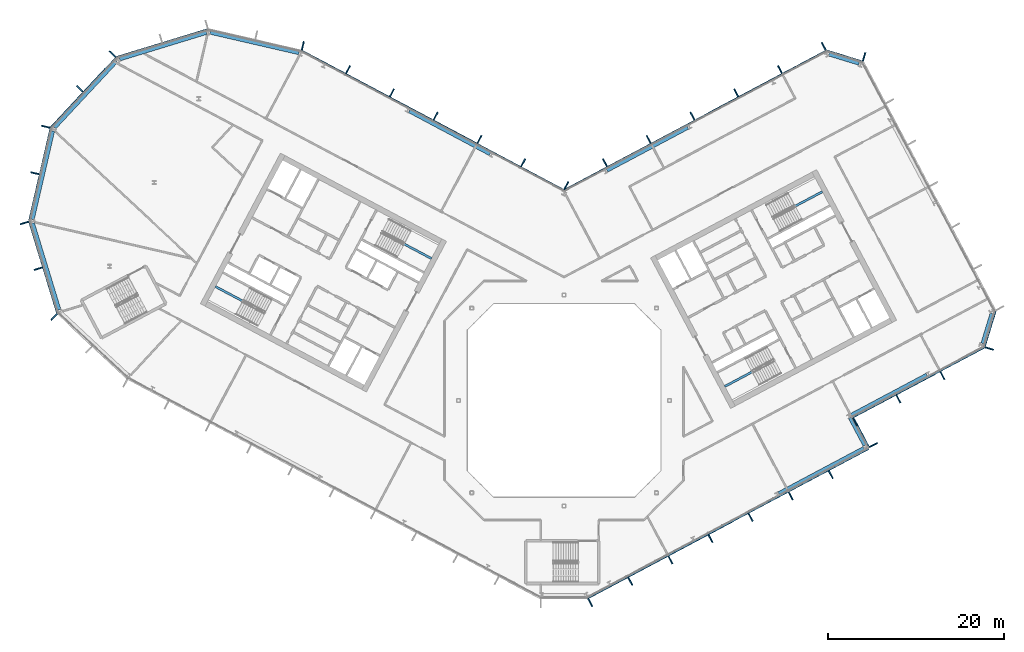
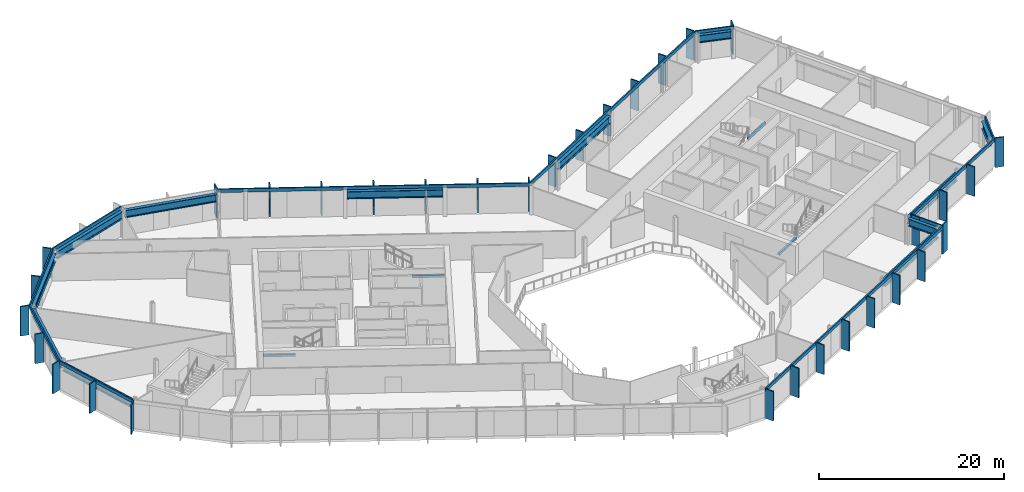
# One storey, part 9 of 26: 44 members, 16 beams, 13 elements without a shape of their own.
"""IFC4 building model written with IfcOpenShell, lengths in metres."""

from ifc_helpers import new_model, si_unit, direction, frame, origin, origin_2d, place, context, subcontext, project, spatial, rectangle, i_section, extrude, material, layer, layer_set, material_profile, profile_set, type_object, element, aggregate, save


model = new_model("IFC4")

# Units and contexts
model_context = context("Model", 3, precision=1e-05, world=origin(), true_north=direction((0.0, 1.0)))
body_context = subcontext(model_context, "Body", "Model", "MODEL_VIEW")
ifc_project = project(units=[si_unit("LENGTHUNIT", "METRE"), si_unit("AREAUNIT", "SQUARE_METRE"), si_unit("VOLUMEUNIT", "CUBIC_METRE"), si_unit("PLANEANGLEUNIT", "RADIAN"), si_unit("MASSUNIT", "GRAM", prefix="KILO")], contexts=[model_context])

# Site, building, storey
site_placement = place(None, origin())
site = spatial("IfcSite", under=ifc_project, at=site_placement, CompositionType="ELEMENT")
building_placement = place(site_placement, origin())
building = spatial("IfcBuilding", under=site, at=building_placement, Name="Cormorant Relay Tower", CompositionType="ELEMENT")
storey_placement = place(building_placement, frame((0.0, 0.0, 236.39990234375)))
storey = spatial("IfcBuildingStorey", under=building, at=storey_placement, Name="L52", CompositionType="ELEMENT", Elevation=236.39990234375)

# Curtain wall, members
ifc_material_1 = material(Name="Aluminium 6063-T6 anodised bronze", Category="aluminium")
ifc_layer = layer(ifc_material_1, 0.199951171875)
ifc_layer_set = layer_set([ifc_layer], Name="CW1 unitised bronze curtain wall with vertical fins")
curtain_wall_type = type_object("IfcCurtainWallType", Name="CW1 unitised bronze curtain wall with vertical fins", PredefinedType="NOTDEFINED", material=ifc_layer_set)
curtain_wall_1_placement = place(storey_placement, origin())
curtain_wall_1 = element("IfcCurtainWall", 1, at=curtain_wall_1_placement, inside=storey, type_object=curtain_wall_type, Name="CW1 curtain wall 2", PredefinedType="NOTDEFINED")
ifc_material_2 = material(Name="Aluminium 6063-T6 anodised bronze", Category="aluminium")
ifc_material_profile_1 = material_profile(ifc_material_2, rectangle(XDim=0.14990234375, YDim=1.0, at=origin_2d()), Name="AL 150x1000")
ifc_profile_set_1 = profile_set([ifc_material_profile_1], Name="Aluminium 6063-T6 anodised bronze")
member_type_1 = type_object("IfcMemberType", Name="CW1 bronze fin mullion 150 x 1000", PredefinedType="MULLION", material=ifc_profile_set_1)
member_1_placement = place(storey_placement, frame((2.9775390625, -22.99365234375, 0.0), z_axis=(0.0, 0.0, 1.0), x_axis=(0.882947592859, 0.469471562786, 0.0)))
member_1 = element("IfcMember", 2, at=member_1_placement, type_object=member_type_1, Name="CW1 fin 2.1", PredefinedType="MULLION", context=body_context, shape_type="SweptSolid", body=[
    extrude(rectangle(XDim=0.14990234375, YDim=1.0, at=origin_2d()), origin(), (0.0, 0.0, 1.0), 3.900146484375),
])
member_2_placement = place(storey_placement, frame((7.539306640625, -20.568115234375, 0.0), z_axis=(0.0, 0.0, 1.0), x_axis=(0.882947592859, 0.469471562786, 0.0)))
member_2 = element("IfcMember", 3, at=member_2_placement, type_object=member_type_1, Name="CW1 fin 2.2", PredefinedType="MULLION", context=body_context, shape_type="SweptSolid", body=[
    extrude(rectangle(XDim=0.14990234375, YDim=1.0, at=origin_2d()), origin(), (0.0, 0.0, 1.0), 3.900146484375),
])
member_3_placement = place(storey_placement, frame((12.10107421875, -18.142578125, 0.0), z_axis=(0.0, 0.0, 1.0), x_axis=(0.882947592859, 0.469471562786, 0.0)))
member_3 = element("IfcMember", 4, at=member_3_placement, type_object=member_type_1, Name="CW1 fin 2.3", PredefinedType="MULLION", context=body_context, shape_type="SweptSolid", body=[
    extrude(rectangle(XDim=0.14990234375, YDim=1.0, at=origin_2d()), origin(), (0.0, 0.0, 1.0), 3.900146484375),
])
member_4_placement = place(storey_placement, frame((16.662841796875, -15.717041015625, 0.0), z_axis=(0.0, 0.0, 1.0), x_axis=(0.882947592859, 0.469471562786, 0.0)))
member_4 = element("IfcMember", 5, at=member_4_placement, type_object=member_type_1, Name="CW1 fin 2.4", PredefinedType="MULLION", context=body_context, shape_type="SweptSolid", body=[
    extrude(rectangle(XDim=0.14990234375, YDim=1.0, at=origin_2d()), origin(), (0.0, 0.0, 1.0), 3.900146484375),
])
member_5_placement = place(storey_placement, frame((21.224609375, -13.29150390625, 0.0), z_axis=(0.0, 0.0, 1.0), x_axis=(0.882947592859, 0.469471562786, 0.0)))
member_5 = element("IfcMember", 6, at=member_5_placement, type_object=member_type_1, Name="CW1 fin 2.5", PredefinedType="MULLION", context=body_context, shape_type="SweptSolid", body=[
    extrude(rectangle(XDim=0.14990234375, YDim=1.0, at=origin_2d()), origin(), (0.0, 0.0, 1.0), 3.900146484375),
])
member_6_placement = place(storey_placement, frame((25.78662109375, -10.865966796875, 0.0), z_axis=(0.0, 0.0, 1.0), x_axis=(0.882947592859, 0.469471562786, 0.0)))
member_6 = element("IfcMember", 7, at=member_6_placement, type_object=member_type_1, Name="CW1 fin 2.6", PredefinedType="MULLION", context=body_context, shape_type="SweptSolid", body=[
    extrude(rectangle(XDim=0.14990234375, YDim=1.0, at=origin_2d()), origin(), (0.0, 0.0, 1.0), 3.900146484375),
])
member_7_placement = place(storey_placement, frame((30.348388671875, -8.440185546875, 0.0), z_axis=(0.0, 0.0, 1.0), x_axis=(0.882947592859, 0.469471562786, 0.0)))
member_7 = element("IfcMember", 8, at=member_7_placement, type_object=member_type_1, Name="CW1 fin 2.7", PredefinedType="MULLION", context=body_context, shape_type="SweptSolid", body=[
    extrude(rectangle(XDim=0.14990234375, YDim=1.0, at=origin_2d()), origin(), (0.0, 0.0, 1.0), 3.900146484375),
])

# Curtain wall, member
curtain_wall_2_placement = place(storey_placement, origin())
curtain_wall_2 = element("IfcCurtainWall", 9, at=curtain_wall_2_placement, inside=storey, type_object=curtain_wall_type, Name="CW1 curtain wall 3", PredefinedType="NOTDEFINED")
member_8_placement = place(storey_placement, frame((35.199462890625, -5.068115234375, 0.0), z_axis=(0.0, 0.0, 1.0), x_axis=(-0.469471562786, 0.882947592859, 0.0)))
member_8 = element("IfcMember", 10, at=member_8_placement, type_object=member_type_1, Name="CW1 fin 3.1", PredefinedType="MULLION", context=body_context, shape_type="SweptSolid", body=[
    extrude(rectangle(XDim=0.14990234375, YDim=1.0, at=origin_2d()), origin(), (0.0, 0.0, 1.0), 3.900146484375),
])

# Curtain wall, members
curtain_wall_3_placement = place(storey_placement, origin())
curtain_wall_3 = element("IfcCurtainWall", 11, at=curtain_wall_3_placement, inside=storey, type_object=curtain_wall_type, Name="CW1 curtain wall 4", PredefinedType="NOTDEFINED")
member_9_placement = place(storey_placement, frame((33.098388671875, -2.44775390625, 0.0), z_axis=(0.0, 0.0, 1.0), x_axis=(0.882947592859, 0.469471562786, 0.0)))
member_9 = element("IfcMember", 12, at=member_9_placement, type_object=member_type_1, Name="CW1 fin 4.1", PredefinedType="MULLION", context=body_context, shape_type="SweptSolid", body=[
    extrude(rectangle(XDim=0.14990234375, YDim=1.0, at=origin_2d()), origin(), (0.0, 0.0, 1.0), 3.900146484375),
])
member_10_placement = place(storey_placement, frame((38.035400390625, 0.177490234375, 0.0), z_axis=(0.0, 0.0, 1.0), x_axis=(0.882947592859, 0.469471562786, 0.0)))
member_10 = element("IfcMember", 13, at=member_10_placement, type_object=member_type_1, Name="CW1 fin 4.2", PredefinedType="MULLION", context=body_context, shape_type="SweptSolid", body=[
    extrude(rectangle(XDim=0.14990234375, YDim=1.0, at=origin_2d()), origin(), (0.0, 0.0, 1.0), 3.900146484375),
])
member_11_placement = place(storey_placement, frame((43.038818359375, 2.837646484375, 0.0), z_axis=(0.0, 0.0, 1.0), x_axis=(0.882947592859, 0.469471562786, 0.0)))
member_11 = element("IfcMember", 14, at=member_11_placement, type_object=member_type_1, Name="CW1 fin 4.3", PredefinedType="MULLION", context=body_context, shape_type="SweptSolid", body=[
    extrude(rectangle(XDim=0.14990234375, YDim=1.0, at=origin_2d()), origin(), (0.0, 0.0, 1.0), 3.900146484375),
])

# Curtain wall, member
curtain_wall_4_placement = place(storey_placement, origin())
curtain_wall_4 = element("IfcCurtainWall", 15, at=curtain_wall_4_placement, inside=storey, type_object=curtain_wall_type, Name="CW1 curtain wall 5", PredefinedType="NOTDEFINED")
member_12_placement = place(storey_placement, frame((48.383056640625, 5.91162109375, 0.0), z_axis=(0.0, 0.0, 1.0), x_axis=(0.292371704723, 0.956304755963, 0.0)))
member_12 = element("IfcMember", 16, at=member_12_placement, type_object=member_type_1, Name="CW1 fin 5.1", PredefinedType="MULLION", context=body_context, shape_type="SweptSolid", body=[
    extrude(rectangle(XDim=0.14990234375, YDim=1.0, at=origin_2d()), origin(), (0.0, 0.0, 1.0), 3.900146484375),
])

curtain_wall_5_placement = place(storey_placement, origin())
curtain_wall_5 = element("IfcCurtainWall", 17, at=curtain_wall_5_placement, inside=storey, type_object=curtain_wall_type, Name="CW1 curtain wall 7", PredefinedType="NOTDEFINED")
member_13_placement = place(storey_placement, frame((34.1357421875, 39.09716796875, 0.0), z_axis=(0.0, 0.0, 1.0), x_axis=(-0.956304755963, 0.292371704723, 0.0)))
member_13 = element("IfcMember", 18, at=member_13_placement, type_object=member_type_1, Name="CW1 fin 7.1", PredefinedType="MULLION", context=body_context, shape_type="SweptSolid", body=[
    extrude(rectangle(XDim=0.14990234375, YDim=1.0, at=origin_2d()), origin(), (0.0, 0.0, 1.0), 3.900146484375),
])

# Curtain wall, members
curtain_wall_6_placement = place(storey_placement, origin())
curtain_wall_6 = element("IfcCurtainWall", 19, at=curtain_wall_6_placement, inside=storey, type_object=curtain_wall_type, Name="CW1 curtain wall 8", PredefinedType="NOTDEFINED")
member_14_placement = place(storey_placement, frame((29.545166015625, 40.2861328125, 0.0), z_axis=(0.0, 0.0, 1.0), x_axis=(-0.882947592859, -0.469471562786, 0.0)))
member_14 = element("IfcMember", 20, at=member_14_placement, type_object=member_type_1, Name="CW1 fin 8.1", PredefinedType="MULLION", context=body_context, shape_type="SweptSolid", body=[
    extrude(rectangle(XDim=0.14990234375, YDim=1.0, at=origin_2d()), origin(), (0.0, 0.0, 1.0), 3.900146484375),
])
member_15_placement = place(storey_placement, frame((24.566162109375, 37.638916015625, 0.0), z_axis=(0.0, 0.0, 1.0), x_axis=(-0.882947592859, -0.469471562786, 0.0)))
member_15 = element("IfcMember", 21, at=member_15_placement, type_object=member_type_1, Name="CW1 fin 8.2", PredefinedType="MULLION", context=body_context, shape_type="SweptSolid", body=[
    extrude(rectangle(XDim=0.14990234375, YDim=1.0, at=origin_2d()), origin(), (0.0, 0.0, 1.0), 3.900146484375),
])
member_16_placement = place(storey_placement, frame((19.587158203125, 34.991455078125, 0.0), z_axis=(0.0, 0.0, 1.0), x_axis=(-0.882947592859, -0.469471562786, 0.0)))
member_16 = element("IfcMember", 22, at=member_16_placement, type_object=member_type_1, Name="CW1 fin 8.3", PredefinedType="MULLION", context=body_context, shape_type="SweptSolid", body=[
    extrude(rectangle(XDim=0.14990234375, YDim=1.0, at=origin_2d()), origin(), (0.0, 0.0, 1.0), 3.900146484375),
])
member_17_placement = place(storey_placement, frame((14.608154296875, 32.343994140625, 0.0), z_axis=(0.0, 0.0, 1.0), x_axis=(-0.882947592859, -0.469471562786, 0.0)))
member_17 = element("IfcMember", 23, at=member_17_placement, type_object=member_type_1, Name="CW1 fin 8.4", PredefinedType="MULLION", context=body_context, shape_type="SweptSolid", body=[
    extrude(rectangle(XDim=0.14990234375, YDim=1.0, at=origin_2d()), origin(), (0.0, 0.0, 1.0), 3.900146484375),
])
member_18_placement = place(storey_placement, frame((9.62939453125, 29.69677734375, 0.0), z_axis=(0.0, 0.0, 1.0), x_axis=(-0.882947592859, -0.469471562786, 0.0)))
member_18 = element("IfcMember", 24, at=member_18_placement, type_object=member_type_1, Name="CW1 fin 8.5", PredefinedType="MULLION", context=body_context, shape_type="SweptSolid", body=[
    extrude(rectangle(XDim=0.14990234375, YDim=1.0, at=origin_2d()), origin(), (0.0, 0.0, 1.0), 3.900146484375),
])
member_19_placement = place(storey_placement, frame((4.650390625, 27.04931640625, 0.0), z_axis=(0.0, 0.0, 1.0), x_axis=(-0.882947592859, -0.469471562786, 0.0)))
member_19 = element("IfcMember", 25, at=member_19_placement, type_object=member_type_1, Name="CW1 fin 8.6", PredefinedType="MULLION", context=body_context, shape_type="SweptSolid", body=[
    extrude(rectangle(XDim=0.14990234375, YDim=1.0, at=origin_2d()), origin(), (0.0, 0.0, 1.0), 3.900146484375),
])

curtain_wall_7_placement = place(storey_placement, origin())
curtain_wall_7 = element("IfcCurtainWall", 26, at=curtain_wall_7_placement, inside=storey, type_object=curtain_wall_type, Name="CW1 curtain wall 9", PredefinedType="NOTDEFINED")
member_20_placement = place(storey_placement, frame((0.262451171875, 24.437255859375, 0.0), z_axis=(0.0, 0.0, 1.0), x_axis=(-0.882947592859, 0.469471562786, 0.0)))
member_20 = element("IfcMember", 27, at=member_20_placement, type_object=member_type_1, Name="CW1 fin 9.1", PredefinedType="MULLION", context=body_context, shape_type="SweptSolid", body=[
    extrude(rectangle(XDim=0.14990234375, YDim=1.0, at=origin_2d()), origin(), (0.0, 0.0, 1.0), 3.900146484375),
])
member_21_placement = place(storey_placement, frame((-4.650390625, 27.04931640625, 0.0), z_axis=(0.0, 0.0, 1.0), x_axis=(-0.882947592859, 0.469471562786, 0.0)))
member_21 = element("IfcMember", 28, at=member_21_placement, type_object=member_type_1, Name="CW1 fin 9.2", PredefinedType="MULLION", context=body_context, shape_type="SweptSolid", body=[
    extrude(rectangle(XDim=0.14990234375, YDim=1.0, at=origin_2d()), origin(), (0.0, 0.0, 1.0), 3.900146484375),
])
member_22_placement = place(storey_placement, frame((-9.62939453125, 29.69677734375, 0.0), z_axis=(0.0, 0.0, 1.0), x_axis=(-0.882947592859, 0.469471562786, 0.0)))
member_22 = element("IfcMember", 29, at=member_22_placement, type_object=member_type_1, Name="CW1 fin 9.3", PredefinedType="MULLION", context=body_context, shape_type="SweptSolid", body=[
    extrude(rectangle(XDim=0.14990234375, YDim=1.0, at=origin_2d()), origin(), (0.0, 0.0, 1.0), 3.900146484375),
])
member_23_placement = place(storey_placement, frame((-14.608154296875, 32.343994140625, 0.0), z_axis=(0.0, 0.0, 1.0), x_axis=(-0.882947592859, 0.469471562786, 0.0)))
member_23 = element("IfcMember", 30, at=member_23_placement, type_object=member_type_1, Name="CW1 fin 9.4", PredefinedType="MULLION", context=body_context, shape_type="SweptSolid", body=[
    extrude(rectangle(XDim=0.14990234375, YDim=1.0, at=origin_2d()), origin(), (0.0, 0.0, 1.0), 3.900146484375),
])
member_24_placement = place(storey_placement, frame((-19.587158203125, 34.991455078125, 0.0), z_axis=(0.0, 0.0, 1.0), x_axis=(-0.882947592859, 0.469471562786, 0.0)))
member_24 = element("IfcMember", 31, at=member_24_placement, type_object=member_type_1, Name="CW1 fin 9.5", PredefinedType="MULLION", context=body_context, shape_type="SweptSolid", body=[
    extrude(rectangle(XDim=0.14990234375, YDim=1.0, at=origin_2d()), origin(), (0.0, 0.0, 1.0), 3.900146484375),
])
member_25_placement = place(storey_placement, frame((-24.566162109375, 37.638916015625, 0.0), z_axis=(0.0, 0.0, 1.0), x_axis=(-0.882947592859, 0.469471562786, 0.0)))
member_25 = element("IfcMember", 32, at=member_25_placement, type_object=member_type_1, Name="CW1 fin 9.6", PredefinedType="MULLION", context=body_context, shape_type="SweptSolid", body=[
    extrude(rectangle(XDim=0.14990234375, YDim=1.0, at=origin_2d()), origin(), (0.0, 0.0, 1.0), 3.900146484375),
])

# Curtain wall, member
curtain_wall_8_placement = place(storey_placement, origin())
curtain_wall_8 = element("IfcCurtainWall", 33, at=curtain_wall_8_placement, inside=storey, type_object=curtain_wall_type, Name="CW1 curtain wall 10", PredefinedType="NOTDEFINED")
member_26_placement = place(storey_placement, frame((-29.71630859375, 40.35009765625, 0.0), z_axis=(0.0, 0.0, 1.0), x_axis=(-0.974370064785, 0.224951054344, 0.0)))
member_26 = element("IfcMember", 34, at=member_26_placement, type_object=member_type_1, Name="CW1 fin 10.1", PredefinedType="MULLION", context=body_context, shape_type="SweptSolid", body=[
    extrude(rectangle(XDim=0.14990234375, YDim=1.0, at=origin_2d()), origin(), (0.0, 0.0, 1.0), 3.900146484375),
])
aggregate(curtain_wall_8, [member_26])

# Curtain wall, members
curtain_wall_9_placement = place(storey_placement, origin())
curtain_wall_9 = element("IfcCurtainWall", 35, at=curtain_wall_9_placement, inside=storey, type_object=curtain_wall_type, Name="CW1 curtain wall 12", PredefinedType="NOTDEFINED")
member_27_placement = place(storey_placement, frame((-51.372802734375, 39.41259765625, 0.0), z_axis=(0.0, 0.0, 1.0), x_axis=(-0.681998360062, -0.731353701619, 0.0)))
member_27 = element("IfcMember", 36, at=member_27_placement, type_object=member_type_1, Name="CW1 fin 12.1", PredefinedType="MULLION", context=body_context, shape_type="SweptSolid", body=[
    extrude(rectangle(XDim=0.14990234375, YDim=1.0, at=origin_2d()), origin(), (0.0, 0.0, 1.0), 3.900146484375),
])
member_28_placement = place(storey_placement, frame((-55.07958984375, 35.4375, 0.0), z_axis=(0.0, 0.0, 1.0), x_axis=(-0.681998360062, -0.731353701619, 0.0)))
member_28 = element("IfcMember", 37, at=member_28_placement, type_object=member_type_1, Name="CW1 fin 12.2", PredefinedType="MULLION", context=body_context, shape_type="SweptSolid", body=[
    extrude(rectangle(XDim=0.14990234375, YDim=1.0, at=origin_2d()), origin(), (0.0, 0.0, 1.0), 3.900146484375),
])

curtain_wall_10_placement = place(storey_placement, origin())
curtain_wall_10 = element("IfcCurtainWall", 38, at=curtain_wall_10_placement, inside=storey, type_object=curtain_wall_type, Name="CW1 curtain wall 13", PredefinedType="NOTDEFINED")
member_29_placement = place(storey_placement, frame((-58.95654296875, 31.142578125, 0.0), z_axis=(0.0, 0.0, 1.0), x_axis=(-0.224951054344, -0.974370064785, 0.0)))
member_29 = element("IfcMember", 39, at=member_29_placement, type_object=member_type_1, Name="CW1 fin 13.1", PredefinedType="MULLION", context=body_context, shape_type="SweptSolid", body=[
    extrude(rectangle(XDim=0.14990234375, YDim=1.0, at=origin_2d()), origin(), (0.0, 0.0, 1.0), 3.900146484375),
])
member_30_placement = place(storey_placement, frame((-60.17919921875, 25.8466796875, 0.0), z_axis=(0.0, 0.0, 1.0), x_axis=(-0.224951054344, -0.974370064785, 0.0)))
member_30 = element("IfcMember", 40, at=member_30_placement, type_object=member_type_1, Name="CW1 fin 13.2", PredefinedType="MULLION", context=body_context, shape_type="SweptSolid", body=[
    extrude(rectangle(XDim=0.14990234375, YDim=1.0, at=origin_2d()), origin(), (0.0, 0.0, 1.0), 3.900146484375),
])

curtain_wall_11_placement = place(storey_placement, origin())
curtain_wall_11 = element("IfcCurtainWall", 41, at=curtain_wall_11_placement, inside=storey, type_object=curtain_wall_type, Name="CW1 curtain wall 14", PredefinedType="NOTDEFINED")
member_31_placement = place(storey_placement, frame((-61.389404296875, 20.188720703125, 0.0), z_axis=(0.0, 0.0, 1.0), x_axis=(0.292371704723, -0.956304755963, 0.0)))
member_31 = element("IfcMember", 42, at=member_31_placement, type_object=member_type_1, Name="CW1 fin 14.1", PredefinedType="MULLION", context=body_context, shape_type="SweptSolid", body=[
    extrude(rectangle(XDim=0.14990234375, YDim=1.0, at=origin_2d()), origin(), (0.0, 0.0, 1.0), 3.900146484375),
])
member_32_placement = place(storey_placement, frame((-59.80029296875, 14.990966796875, 0.0), z_axis=(0.0, 0.0, 1.0), x_axis=(0.292371704723, -0.956304755963, 0.0)))
member_32 = element("IfcMember", 43, at=member_32_placement, type_object=member_type_1, Name="CW1 fin 14.2", PredefinedType="MULLION", context=body_context, shape_type="SweptSolid", body=[
    extrude(rectangle(XDim=0.14990234375, YDim=1.0, at=origin_2d()), origin(), (0.0, 0.0, 1.0), 3.900146484375),
])

# Curtain wall, member
curtain_wall_12_placement = place(storey_placement, origin())
curtain_wall_12 = element("IfcCurtainWall", 44, at=curtain_wall_12_placement, inside=storey, type_object=curtain_wall_type, Name="CW1 curtain wall 15", PredefinedType="NOTDEFINED")
member_33_placement = place(storey_placement, frame((-58.01904296875, 9.486083984375, 0.0), z_axis=(0.0, 0.0, 1.0), x_axis=(0.731353701619, -0.681998360062, 0.0)))
member_33 = element("IfcMember", 45, at=member_33_placement, type_object=member_type_1, Name="CW1 fin 15.1", PredefinedType="MULLION", context=body_context, shape_type="SweptSolid", body=[
    extrude(rectangle(XDim=0.14990234375, YDim=1.0, at=origin_2d()), origin(), (0.0, 0.0, 1.0), 3.900146484375),
])
aggregate(curtain_wall_12, [member_33])

# Member
ifc_material_3 = material(Name="Aluminium 6063-T6 anodised bronze", Category="aluminium")
ifc_material_profile_2 = material_profile(ifc_material_3, rectangle(XDim=0.159912109375, YDim=0.449951171875, at=origin_2d()), Name="AL 160x450")
ifc_profile_set_2 = profile_set([ifc_material_profile_2], Name="Aluminium 6063-T6 anodised bronze")
member_type_2 = type_object("IfcMemberType", Name="CW1 bronze transom 160 x 450", PredefinedType="USERDEFINED", material=ifc_profile_set_2)
member_34_placement = place(storey_placement, frame((2.705078125, -22.4814453125, 3.675048828125), z_axis=(0.882948899141, 0.469469106018, 0.0), x_axis=(-0.469469106018, 0.882948899141, 0.0)))
member_34 = element("IfcMember", 46, at=member_34_placement, type_object=member_type_2, Name="CW1 transom 2", ObjectType="TRANSOM", PredefinedType="USERDEFINED", context=body_context, shape_type="SweptSolid", body=[
    extrude(rectangle(XDim=0.159912109375, YDim=0.449951171875, at=origin_2d()), origin(), (0.0, 0.0, 1.0), 36.165771484375),
])

aggregate(curtain_wall_1, [member_1, member_2, member_3, member_4, member_5, member_6, member_7, member_34])

member_35_placement = place(storey_placement, frame((34.6875, -5.34033203125, 3.675048828125), z_axis=(-0.469485426614, 0.882940221191, 0.0), x_axis=(-0.882940221191, -0.469485426614, 0.0)))
member_35 = element("IfcMember", 47, at=member_35_placement, type_object=member_type_2, Name="CW1 transom 3", ObjectType="TRANSOM", PredefinedType="USERDEFINED", context=body_context, shape_type="SweptSolid", body=[
    extrude(rectangle(XDim=0.159912109375, YDim=0.449951171875, at=origin_2d()), origin(), (0.0, 0.0, 1.0), 4.0),
])

aggregate(curtain_wall_2, [member_8, member_35])

member_36_placement = place(storey_placement, frame((32.760009765625, -1.970947265625, 3.675048828125), z_axis=(0.882941803911, 0.469482450052, 0.0), x_axis=(-0.469482450052, 0.882941803911, 0.0)))
member_36 = element("IfcMember", 48, at=member_36_placement, type_object=member_type_2, Name="CW1 transom 4", ObjectType="TRANSOM", PredefinedType="USERDEFINED", context=body_context, shape_type="SweptSolid", body=[
    extrude(rectangle(XDim=0.159912109375, YDim=0.449951171875, at=origin_2d()), origin(), (0.0, 0.0, 1.0), 17.0),
])

aggregate(curtain_wall_3, [member_9, member_10, member_11, member_36])

member_37_placement = place(storey_placement, frame((47.828369140625, 6.0810546875, 3.675048828125), z_axis=(0.292391046905, 0.95629884225, 0.0), x_axis=(-0.95629884225, 0.292391046905, 0.0)))
member_37 = element("IfcMember", 49, at=member_37_placement, type_object=member_type_2, Name="CW1 transom 5", ObjectType="TRANSOM", PredefinedType="USERDEFINED", context=body_context, shape_type="SweptSolid", body=[
    extrude(rectangle(XDim=0.159912109375, YDim=0.449951171875, at=origin_2d()), origin(), (0.0, 0.0, 1.0), 4.242431640625),
])

aggregate(curtain_wall_4, [member_12, member_37])

member_38_placement = place(storey_placement, frame((33.966064453125, 38.54248046875, 3.675048828125), z_axis=(-0.956303761594, 0.292374957137, 0.0), x_axis=(-0.292374957137, -0.956303761594, 0.0)))
member_38 = element("IfcMember", 50, at=member_38_placement, type_object=member_type_2, Name="CW1 transom 7", ObjectType="TRANSOM", PredefinedType="USERDEFINED", context=body_context, shape_type="SweptSolid", body=[
    extrude(rectangle(XDim=0.159912109375, YDim=0.449951171875, at=origin_2d()), origin(), (0.0, 0.0, 1.0), 4.24267578125),
])

aggregate(curtain_wall_5, [member_13, member_38])

member_39_placement = place(storey_placement, frame((29.8173828125, 39.774169921875, 3.675048828125), z_axis=(-0.882946280328, -0.46947403129, 0.0), x_axis=(0.46947403129, -0.882946280328, 0.0)))
member_39 = element("IfcMember", 51, at=member_39_placement, type_object=member_type_2, Name="CW1 transom 8", ObjectType="TRANSOM", PredefinedType="USERDEFINED", context=body_context, shape_type="SweptSolid", body=[
    extrude(rectangle(XDim=0.159912109375, YDim=0.449951171875, at=origin_2d()), origin(), (0.0, 0.0, 1.0), 33.834228515625),
])

aggregate(curtain_wall_6, [member_14, member_15, member_16, member_17, member_18, member_19, member_39])

member_40_placement = place(storey_placement, frame((0.056396484375, 23.889892578125, 3.675048828125), z_axis=(-0.882946280328, 0.46947403129, 0.0), x_axis=(-0.46947403129, -0.882946280328, 0.0)))
member_40 = element("IfcMember", 52, at=member_40_placement, type_object=member_type_2, Name="CW1 transom 9", ObjectType="TRANSOM", PredefinedType="USERDEFINED", context=body_context, shape_type="SweptSolid", body=[
    extrude(rectangle(XDim=0.159912109375, YDim=0.449951171875, at=origin_2d()), origin(), (0.0, 0.0, 1.0), 33.834228515625),
])

aggregate(curtain_wall_7, [member_20, member_21, member_22, member_23, member_24, member_25, member_40])

# Curtain wall, member
curtain_wall_13_placement = place(storey_placement, origin())
curtain_wall_13 = element("IfcCurtainWall", 53, at=curtain_wall_13_placement, inside=storey, type_object=curtain_wall_type, Name="CW1 curtain wall 11", PredefinedType="NOTDEFINED")
member_41_placement = place(storey_placement, frame((-40.50048828125, 42.228271484375, 3.675048828125), z_axis=(-0.956304833932, -0.292371449698, 0.0), x_axis=(0.292371449698, -0.956304833932, 0.0)))
member_41 = element("IfcMember", 54, at=member_41_placement, type_object=member_type_2, Name="CW1 transom 11", ObjectType="TRANSOM", PredefinedType="USERDEFINED", context=body_context, shape_type="SweptSolid", body=[
    extrude(rectangle(XDim=0.159912109375, YDim=0.449951171875, at=origin_2d()), origin(), (0.0, 0.0, 1.0), 10.87060546875),
])
aggregate(curtain_wall_13, [member_41])

# Member
member_42_placement = place(storey_placement, frame((-50.94873046875, 39.01708984375, 3.675048828125), z_axis=(-0.681993299437, -0.731358420696, 0.0), x_axis=(0.731358420696, -0.681993299437, 0.0)))
member_42 = element("IfcMember", 55, at=member_42_placement, type_object=member_type_2, Name="CW1 transom 12", ObjectType="TRANSOM", PredefinedType="USERDEFINED", context=body_context, shape_type="SweptSolid", body=[
    extrude(rectangle(XDim=0.159912109375, YDim=0.449951171875, at=origin_2d()), origin(), (0.0, 0.0, 1.0), 10.870361328125),
])

aggregate(curtain_wall_9, [member_27, member_28, member_42])

member_43_placement = place(storey_placement, frame((-58.3916015625, 31.01220703125, 3.675048828125), z_axis=(-0.22495136131, -0.974369993916, 0.0), x_axis=(0.974369993916, -0.22495136131, 0.0)))
member_43 = element("IfcMember", 56, at=member_43_placement, type_object=member_type_2, Name="CW1 transom 13", ObjectType="TRANSOM", PredefinedType="USERDEFINED", context=body_context, shape_type="SweptSolid", body=[
    extrude(rectangle(XDim=0.159912109375, YDim=0.449951171875, at=origin_2d()), origin(), (0.0, 0.0, 1.0), 10.870361328125),
])

aggregate(curtain_wall_10, [member_29, member_30, member_43])

member_44_placement = place(storey_placement, frame((-60.834716796875, 20.358154296875, 3.675048828125), z_axis=(0.292377729282, -0.95630291405, 0.0), x_axis=(0.95630291405, 0.292377729282, 0.0)))
member_44 = element("IfcMember", 57, at=member_44_placement, type_object=member_type_2, Name="CW1 transom 14", ObjectType="TRANSOM", PredefinedType="USERDEFINED", context=body_context, shape_type="SweptSolid", body=[
    extrude(rectangle(XDim=0.159912109375, YDim=0.449951171875, at=origin_2d()), origin(), (0.0, 0.0, 1.0), 10.870361328125),
])

aggregate(curtain_wall_11, [member_31, member_32, member_44])

# Beams
ifc_material_4 = material(Name="Steel ASTM A992 (Fy 345 MPa)", Category="steel")
ifc_material_profile_3 = material_profile(ifc_material_4, i_section(OverallWidth=0.4013671875, OverallDepth=0.990478515625, WebThickness=0.0166015625, FlangeThickness=0.031005859375, FilletRadius=0.030029296875, at=origin_2d()), Name="W1000x320")
ifc_profile_set_3 = profile_set([ifc_material_profile_3], Name="Steel ASTM A992 (Fy 345 MPa)")
beam_type_1 = type_object("IfcBeamType", Name="Spandrel W1000x320", PredefinedType="SPANDREL", material=ifc_profile_set_3)
beam_1_placement = place(storey_placement, frame((24.423583984375, -10.5703125, 3.044677734375), z_axis=(0.882952735253, 0.469461891221, 0.0), x_axis=(-0.469461891221, 0.882952735253, 0.0)))
element("IfcBeam", 58, at=beam_1_placement, inside=storey, type_object=beam_type_1, Name="Spandrel beam L52-002", PredefinedType="SPANDREL", context=body_context, shape_type="SweptSolid", body=[
    extrude(i_section(OverallWidth=0.4013671875, OverallDepth=0.990478515625, WebThickness=0.0166015625, FlangeThickness=0.031005859375, FilletRadius=0.030029296875, at=origin_2d()), origin(), (0.0, 0.0, 1.0), 10.96142578125),
])
beam_2_placement = place(storey_placement, frame((34.20458984375, -5.115478515625, 3.044677734375), z_axis=(-0.469423552529, 0.882973118691, 0.0), x_axis=(-0.882973118691, -0.469423552529, 0.0)))
element("IfcBeam", 59, at=beam_2_placement, inside=storey, type_object=beam_type_1, Name="Spandrel beam L52-003", PredefinedType="SPANDREL", context=body_context, shape_type="SweptSolid", body=[
    extrude(i_section(OverallWidth=0.4013671875, OverallDepth=0.990478515625, WebThickness=0.0166015625, FlangeThickness=0.031005859375, FilletRadius=0.030029296875, at=origin_2d()), origin(), (0.0, 0.0, 1.0), 3.56982421875),
])
beam_3_placement = place(storey_placement, frame((32.609375, -1.687744140625, 3.044677734375), z_axis=(0.882948215634, 0.469470391515, 0.0), x_axis=(-0.469470391515, 0.882948215634, 0.0)))
element("IfcBeam", 60, at=beam_3_placement, inside=storey, type_object=beam_type_1, Name="Spandrel beam L52-004", PredefinedType="SPANDREL", context=body_context, shape_type="SweptSolid", body=[
    extrude(i_section(OverallWidth=0.4013671875, OverallDepth=0.990478515625, WebThickness=0.0166015625, FlangeThickness=0.031005859375, FilletRadius=0.030029296875, at=origin_2d()), origin(), (0.0, 0.0, 1.0), 9.79736328125),
])
for number, where, z_axis, x_axis, name in (
    (61, (47.618896484375, 6.4921875, 3.044677734375), (0.292349563537, 0.956311524923, 0.0), (-0.956311524923, 0.292349563537, 0.0), "Spandrel beam L52-005"),
    (62, (33.5546875, 38.3330078125, 3.044677734375), (-0.956311524923, 0.292349563537, 0.0), (-0.292349563537, -0.956311524923, 0.0), "Spandrel beam L52-007"),
):
    element("IfcBeam", number, at=place(storey_placement, frame(where, z_axis=z_axis, x_axis=x_axis)), inside=storey, type_object=beam_type_1, Name=name, PredefinedType="SPANDREL", context=body_context, shape_type="SweptSolid", body=[
        extrude(i_section(OverallWidth=0.4013671875, OverallDepth=0.990478515625, WebThickness=0.0166015625, FlangeThickness=0.031005859375, FilletRadius=0.030029296875, at=origin_2d()), origin(), (0.0, 0.0, 1.0), 3.59765625),
    ])
for number, where, z_axis, x_axis, name in (
    (63, (14.0732421875, 31.03955078125, 3.044677734375), (-0.882949648898, -0.469467695918, 0.0), (0.469467695918, -0.882949648898, 0.0), "Spandrel beam L52-008"),
    (64, (-8.426025390625, 28.036865234375, 3.044677734375), (-0.882949648898, 0.469467695918, 0.0), (-0.469467695918, -0.882949648898, 0.0), "Spandrel beam L52-009"),
):
    element("IfcBeam", number, at=place(storey_placement, frame(where, z_axis=z_axis, x_axis=x_axis)), inside=storey, type_object=beam_type_1, Name=name, PredefinedType="SPANDREL", context=body_context, shape_type="SweptSolid", body=[
        extrude(i_section(OverallWidth=0.4013671875, OverallDepth=0.990478515625, WebThickness=0.0166015625, FlangeThickness=0.031005859375, FilletRadius=0.030029296875, at=origin_2d()), origin(), (0.0, 0.0, 1.0), 10.39599609375),
    ])
beam_4_placement = place(storey_placement, frame((-30.1533203125, 39.526611328125, 3.044677734375), z_axis=(-0.97436619016, 0.22496783653, 0.0), x_axis=(-0.22496783653, -0.97436619016, 0.0)))
element("IfcBeam", 65, at=beam_4_placement, inside=storey, type_object=beam_type_1, Name="Spandrel beam L52-010", PredefinedType="SPANDREL", context=body_context, shape_type="SweptSolid", body=[
    extrude(i_section(OverallWidth=0.4013671875, OverallDepth=0.990478515625, WebThickness=0.0166015625, FlangeThickness=0.031005859375, FilletRadius=0.030029296875, at=origin_2d()), origin(), (0.0, 0.0, 1.0), 10.369384765625),
])
beam_5_placement = place(storey_placement, frame((-40.680419921875, 41.837890625, 3.044677734375), z_axis=(-0.956303094801, -0.292377138084, 0.0), x_axis=(0.292377138084, -0.956303094801, 0.0)))
element("IfcBeam", 66, at=beam_5_placement, inside=storey, type_object=beam_type_1, Name="Spandrel beam L52-011", PredefinedType="SPANDREL", context=body_context, shape_type="SweptSolid", body=[
    extrude(i_section(OverallWidth=0.4013671875, OverallDepth=0.990478515625, WebThickness=0.0166015625, FlangeThickness=0.031005859375, FilletRadius=0.030029296875, at=origin_2d()), origin(), (0.0, 0.0, 1.0), 10.32421875),
])
beam_6_placement = place(storey_placement, frame((-50.90966796875, 38.5888671875, 3.044677734375), z_axis=(-0.681996285296, -0.731355636365, 0.0), x_axis=(0.731355636365, -0.681996285296, 0.0)))
element("IfcBeam", 67, at=beam_6_placement, inside=storey, type_object=beam_type_1, Name="Spandrel beam L52-012", PredefinedType="SPANDREL", context=body_context, shape_type="SweptSolid", body=[
    extrude(i_section(OverallWidth=0.4013671875, OverallDepth=0.990478515625, WebThickness=0.0166015625, FlangeThickness=0.031005859375, FilletRadius=0.030029296875, at=origin_2d()), origin(), (0.0, 0.0, 1.0), 10.32275390625),
])
beam_7_placement = place(storey_placement, frame((-58.143310546875, 30.66162109375, 3.044677734375), z_axis=(-0.224957947919, -0.974368473252, 0.0), x_axis=(0.974368473252, -0.224957947919, 0.0)))
element("IfcBeam", 68, at=beam_7_placement, inside=storey, type_object=beam_type_1, Name="Spandrel beam L52-013", PredefinedType="SPANDREL", context=body_context, shape_type="SweptSolid", body=[
    extrude(i_section(OverallWidth=0.4013671875, OverallDepth=0.990478515625, WebThickness=0.0166015625, FlangeThickness=0.031005859375, FilletRadius=0.030029296875, at=origin_2d()), origin(), (0.0, 0.0, 1.0), 10.32421875),
])
beam_8_placement = place(storey_placement, frame((-60.4443359375, 20.178466796875, 3.044677734375), z_axis=(0.29236873538, -0.956305663777, 0.0), x_axis=(0.956305663777, 0.29236873538, 0.0)))
element("IfcBeam", 69, at=beam_8_placement, inside=storey, type_object=beam_type_1, Name="Spandrel beam L52-014", PredefinedType="SPANDREL", context=body_context, shape_type="SweptSolid", body=[
    extrude(i_section(OverallWidth=0.4013671875, OverallDepth=0.990478515625, WebThickness=0.0166015625, FlangeThickness=0.031005859375, FilletRadius=0.030029296875, at=origin_2d()), origin(), (0.0, 0.0, 1.0), 10.32373046875),
])
ifc_material_5 = material(Name="Concrete 50 MPa", Category="concrete")
ifc_material_profile_4 = material_profile(ifc_material_5, rectangle(XDim=0.25, YDim=0.300048828125, at=origin_2d()), Name="RC 250x300")
ifc_profile_set_4 = profile_set([ifc_material_profile_4], Name="Concrete 50 MPa")
beam_type_2 = type_object("IfcBeamType", Name="Stair landing ledge beam 250x300", PredefinedType="BEAM", material=ifc_profile_set_4)
beam_9_placement = place(storey_placement, frame((-18.219482421875, 17.813720703125, 1.60009765625), z_axis=(0.882950035608, -0.469466968614, 0.0), x_axis=(0.469466968614, 0.882950035608, 0.0)))
element("IfcBeam", 70, at=beam_9_placement, inside=storey, type_object=beam_type_2, Name="A1 landing ledge beam", PredefinedType="BEAM", context=body_context, shape_type="SweptSolid", body=[
    extrude(rectangle(XDim=0.25, YDim=0.300048828125, at=origin_2d()), origin(), (0.0, 0.0, 1.0), 3.5498046875),
])
for number, where, z_axis, x_axis, name in (
    (71, (-36.523193359375, 11.29345703125, 1.60009765625), (-0.88293668587, 0.469492075273, 0.0), (-0.469492075273, -0.88293668587, 0.0), "A2 landing ledge beam"),
    (72, (21.4248046875, 3.265380859375, 1.60009765625), (-0.88296519247, -0.469438461235, 0.0), (0.469438461235, -0.88296519247, 0.0), "B1 landing ledge beam"),
    (73, (26.25439453125, 22.0859375, 1.60009765625), (0.88296519247, 0.469438461235, 0.0), (-0.469438461235, 0.88296519247, 0.0), "B2 landing ledge beam"),
):
    element("IfcBeam", number, at=place(storey_placement, frame(where, z_axis=z_axis, x_axis=x_axis)), inside=storey, type_object=beam_type_2, Name=name, PredefinedType="BEAM", context=body_context, shape_type="SweptSolid", body=[
        extrude(rectangle(XDim=0.25, YDim=0.300048828125, at=origin_2d()), origin(), (0.0, 0.0, 1.0), 3.550048828125),
    ])

save(model, "model.ifc")
